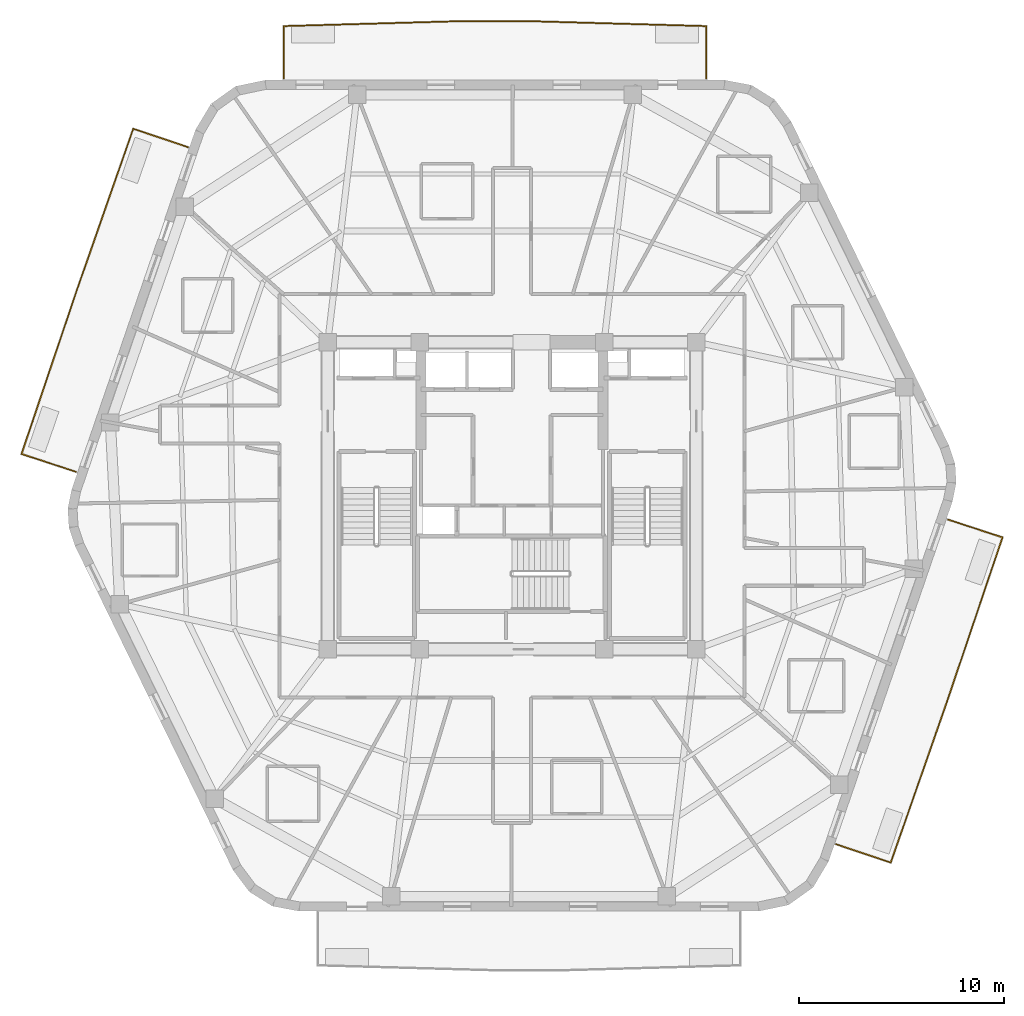
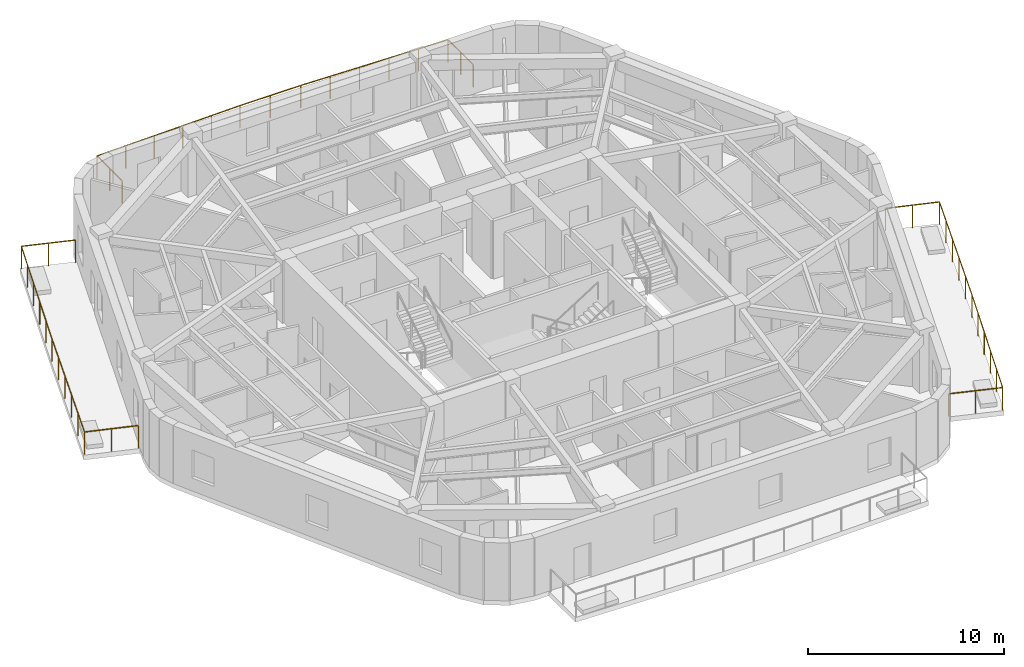
# One storey, part 9 of 9: 3 railings.
"""IFC4 building model written with IfcOpenShell, lengths in metres."""

from ifc_helpers import new_model, si_unit, direction, frame, origin, origin_2d, place, context, subcontext, project, spatial, rectangle, extrude, material, layer, layer_set, type_object, element, save


model = new_model("IFC4")

# Units and contexts
model_context = context("Model", 3, precision=1e-05, world=origin(), true_north=direction((0.0, 1.0)))
body_context = subcontext(model_context, "Body", "Model", "MODEL_VIEW")
ifc_project = project(units=[si_unit("LENGTHUNIT", "METRE"), si_unit("AREAUNIT", "SQUARE_METRE"), si_unit("VOLUMEUNIT", "CUBIC_METRE"), si_unit("PLANEANGLEUNIT", "RADIAN"), si_unit("MASSUNIT", "GRAM", prefix="KILO")], contexts=[model_context])

# Site, building, storey
site_placement = place(None, origin())
site = spatial("IfcSite", under=ifc_project, at=site_placement, CompositionType="ELEMENT")
building_placement = place(site_placement, origin())
building = spatial("IfcBuilding", under=site, at=building_placement, Name="Kilnhurst Terrace Hotel", CompositionType="ELEMENT")
storey_placement = place(building_placement, frame((0.0, 0.0, 269.10009765625)))
storey = spatial("IfcBuildingStorey", under=building, at=storey_placement, Name="L67", CompositionType="ELEMENT", Elevation=269.10009765625)

# Railings
ifc_material = material(Name="Laminated SentryGlas and Stainless Steel AISI 316L Balustrade", Category="steel")
ifc_layer = layer(ifc_material, 0.070068359375, Name="Laminated SentryGlas and Stainless Steel AISI 316L Balustrade")
ifc_layer_set = layer_set([ifc_layer], Name="Laminated SentryGlas and Stainless Steel AISI 316L Balustrade")
railing_type = type_object("IfcRailingType", Name="RLG-BAL-1420", PredefinedType="BALUSTRADE", material=ifc_layer_set)
railing_1_placement = place(storey_placement, frame((21.298828125, -1.166748046875, 0.0)))
element("IfcRailing", 1, at=railing_1_placement, inside=storey, type_object=railing_type, Name="L67 Exterior Terrace Guardrail BAL-L1B.1", PredefinedType="BALUSTRADE", context=body_context, shape_type="SweptSolid", body=[
    extrude(rectangle(XDim=0.048095703125, YDim=0.048095703125, at=origin_2d()), frame((0.0, 0.0, 1.39599609375), z_axis=(0.950394786916, -0.311046216827, 0.0), x_axis=(0.311046216827, 0.950394786916, 0.0)), (0.0, 0.0, 1.0), 2.80126953125),
    extrude(rectangle(XDim=0.048095703125, YDim=0.048095703125, at=origin_2d()), frame((2.662353515625, -0.871337890625, 1.39599609375), z_axis=(-0.319895813217, -0.94745272636, 0.0), x_axis=(0.94745272636, -0.319895813217, 0.0)), (0.0, 0.0, 1.0), 8.44091796875),
    extrude(rectangle(XDim=0.048095703125, YDim=0.048095703125, at=origin_2d()), frame((-0.037841796875, -8.86865234375, 1.39599609375), z_axis=(-0.329893619994, -0.944018113962, 0.0), x_axis=(0.944018113962, -0.329893619994, 0.0)), (0.0, 0.0, 1.0), 8.356689453125),
    extrude(rectangle(XDim=0.048095703125, YDim=0.048095703125, at=origin_2d()), frame((-2.794677734375, -16.757568359375, 1.39599609375), z_axis=(-0.948082201611, 0.318025374757, 0.0), x_axis=(-0.318025374757, -0.948082201611, 0.0)), (0.0, 0.0, 1.0), 2.810546875),
    extrude(rectangle(XDim=0.0419921875, YDim=0.0419921875, at=origin_2d()), origin(), (0.0, 0.0, 1.0), 1.371826171875),
    extrude(rectangle(XDim=0.0419921875, YDim=0.0419921875, at=origin_2d()), frame((1.3310546875, -0.435546875, 0.0)), (0.0, 0.0, 1.0), 1.371826171875),
    extrude(rectangle(XDim=0.0419921875, YDim=0.0419921875, at=origin_2d()), frame((2.662353515625, -0.871337890625, 0.0)), (0.0, 0.0, 1.0), 1.371826171875),
    extrude(rectangle(XDim=0.0419921875, YDim=0.0419921875, at=origin_2d()), frame((2.122314453125, -2.470703125, 0.0)), (0.0, 0.0, 1.0), 1.371826171875),
    extrude(rectangle(XDim=0.0419921875, YDim=0.0419921875, at=origin_2d()), frame((1.582275390625, -4.0703125, 0.0)), (0.0, 0.0, 1.0), 1.371826171875),
    extrude(rectangle(XDim=0.0419921875, YDim=0.0419921875, at=origin_2d()), frame((1.042236328125, -5.669677734375, 0.0)), (0.0, 0.0, 1.0), 1.371826171875),
    extrude(rectangle(XDim=0.0419921875, YDim=0.0419921875, at=origin_2d()), frame((0.502197265625, -7.269287109375, 0.0)), (0.0, 0.0, 1.0), 1.371826171875),
    extrude(rectangle(XDim=0.0419921875, YDim=0.0419921875, at=origin_2d()), frame((-0.037841796875, -8.86865234375, 0.0)), (0.0, 0.0, 1.0), 1.371826171875),
    extrude(rectangle(XDim=0.0419921875, YDim=0.0419921875, at=origin_2d()), frame((-0.589111328125, -10.446533203125, 0.0)), (0.0, 0.0, 1.0), 1.371826171875),
    extrude(rectangle(XDim=0.0419921875, YDim=0.0419921875, at=origin_2d()), frame((-1.140625, -12.024169921875, 0.0)), (0.0, 0.0, 1.0), 1.371826171875),
    extrude(rectangle(XDim=0.0419921875, YDim=0.0419921875, at=origin_2d()), frame((-1.69189453125, -13.60205078125, 0.0)), (0.0, 0.0, 1.0), 1.371826171875),
    extrude(rectangle(XDim=0.0419921875, YDim=0.0419921875, at=origin_2d()), frame((-2.243408203125, -15.1796875, 0.0)), (0.0, 0.0, 1.0), 1.371826171875),
    extrude(rectangle(XDim=0.0419921875, YDim=0.0419921875, at=origin_2d()), frame((-2.794677734375, -16.757568359375, 0.0)), (0.0, 0.0, 1.0), 1.371826171875),
    extrude(rectangle(XDim=0.0419921875, YDim=0.0419921875, at=origin_2d()), frame((-4.126953125, -16.310546875, 0.0)), (0.0, 0.0, 1.0), 1.371826171875),
    extrude(rectangle(XDim=0.0419921875, YDim=0.0419921875, at=origin_2d()), frame((-5.459228515625, -15.86376953125, 0.0)), (0.0, 0.0, 1.0), 1.371826171875),
])
railing_2_placement = place(storey_placement, frame((-11.151611328125, 20.3798828125, 0.0)))
element("IfcRailing", 2, at=railing_2_placement, inside=storey, type_object=railing_type, Name="L67 Exterior Terrace Guardrail BAL-L2A.1", PredefinedType="BALUSTRADE", context=body_context, shape_type="SweptSolid", body=[
    extrude(rectangle(XDim=0.048095703125, YDim=0.048095703125, at=origin_2d()), frame((0.0, 0.0, 1.39599609375), z_axis=(0.0, 1.0, 0.0), x_axis=(-1.0, 0.0, 0.0)), (0.0, 0.0, 1.0), 2.561767578125),
    extrude(rectangle(XDim=0.048095703125, YDim=0.048095703125, at=origin_2d()), frame((0.0, 2.561767578125, 1.39599609375), z_axis=(0.999610218954, 0.027917918323, 0.0), x_axis=(-0.027917918323, 0.999610218954, 0.0)), (0.0, 0.0, 1.0), 8.53515625),
    extrude(rectangle(XDim=0.048095703125, YDim=0.048095703125, at=origin_2d()), frame((8.53173828125, 2.800048828125, 1.39599609375), z_axis=(1.0, 0.0, 0.0), x_axis=(0.0, 1.0, 0.0)), (0.0, 0.0, 1.0), 3.577880859375),
    extrude(rectangle(XDim=0.048095703125, YDim=0.048095703125, at=origin_2d()), frame((12.109619140625, 2.800048828125, 1.39599609375), z_axis=(0.999610218954, -0.027917918323, 0.0), x_axis=(0.027917918323, 0.999610218954, 0.0)), (0.0, 0.0, 1.0), 8.53515625),
    extrude(rectangle(XDim=0.048095703125, YDim=0.048095703125, at=origin_2d()), frame((20.641357421875, 2.561767578125, 1.39599609375), z_axis=(0.0, -1.0, 0.0), x_axis=(1.0, 0.0, 0.0)), (0.0, 0.0, 1.0), 2.561767578125),
    extrude(rectangle(XDim=0.0419921875, YDim=0.0419921875, at=origin_2d()), origin(), (0.0, 0.0, 1.0), 1.371826171875),
    extrude(rectangle(XDim=0.0419921875, YDim=0.0419921875, at=origin_2d()), frame((0.0, 1.28076171875, 0.0)), (0.0, 0.0, 1.0), 1.371826171875),
    extrude(rectangle(XDim=0.0419921875, YDim=0.0419921875, at=origin_2d()), frame((0.0, 2.561767578125, 0.0)), (0.0, 0.0, 1.0), 1.371826171875),
    extrude(rectangle(XDim=0.0419921875, YDim=0.0419921875, at=origin_2d()), frame((1.706298828125, 2.609375, 0.0)), (0.0, 0.0, 1.0), 1.371826171875),
    extrude(rectangle(XDim=0.0419921875, YDim=0.0419921875, at=origin_2d()), frame((3.41259765625, 2.656982421875, 0.0)), (0.0, 0.0, 1.0), 1.371826171875),
    extrude(rectangle(XDim=0.0419921875, YDim=0.0419921875, at=origin_2d()), frame((5.119140625, 2.704833984375, 0.0)), (0.0, 0.0, 1.0), 1.371826171875),
    extrude(rectangle(XDim=0.0419921875, YDim=0.0419921875, at=origin_2d()), frame((6.825439453125, 2.75244140625, 0.0)), (0.0, 0.0, 1.0), 1.371826171875),
    extrude(rectangle(XDim=0.0419921875, YDim=0.0419921875, at=origin_2d()), frame((8.53173828125, 2.800048828125, 0.0)), (0.0, 0.0, 1.0), 1.371826171875),
    extrude(rectangle(XDim=0.0419921875, YDim=0.0419921875, at=origin_2d()), frame((10.32080078125, 2.800048828125, 0.0)), (0.0, 0.0, 1.0), 1.371826171875),
    extrude(rectangle(XDim=0.0419921875, YDim=0.0419921875, at=origin_2d()), frame((12.109619140625, 2.800048828125, 0.0)), (0.0, 0.0, 1.0), 1.371826171875),
    extrude(rectangle(XDim=0.0419921875, YDim=0.0419921875, at=origin_2d()), frame((13.81591796875, 2.75244140625, 0.0)), (0.0, 0.0, 1.0), 1.371826171875),
    extrude(rectangle(XDim=0.0419921875, YDim=0.0419921875, at=origin_2d()), frame((15.522216796875, 2.704833984375, 0.0)), (0.0, 0.0, 1.0), 1.371826171875),
    extrude(rectangle(XDim=0.0419921875, YDim=0.0419921875, at=origin_2d()), frame((17.228759765625, 2.656982421875, 0.0)), (0.0, 0.0, 1.0), 1.371826171875),
    extrude(rectangle(XDim=0.0419921875, YDim=0.0419921875, at=origin_2d()), frame((18.93505859375, 2.609375, 0.0)), (0.0, 0.0, 1.0), 1.371826171875),
    extrude(rectangle(XDim=0.0419921875, YDim=0.0419921875, at=origin_2d()), frame((20.641357421875, 2.561767578125, 0.0)), (0.0, 0.0, 1.0), 1.371826171875),
    extrude(rectangle(XDim=0.0419921875, YDim=0.0419921875, at=origin_2d()), frame((20.641357421875, 1.28076171875, 0.0)), (0.0, 0.0, 1.0), 1.371826171875),
    extrude(rectangle(XDim=0.0419921875, YDim=0.0419921875, at=origin_2d()), frame((20.641357421875, 0.0, 0.0)), (0.0, 0.0, 1.0), 1.371826171875),
])
railing_3_placement = place(storey_placement, frame((-21.298828125, 1.166748046875, 0.0)))
element("IfcRailing", 3, at=railing_3_placement, inside=storey, type_object=railing_type, Name="L67 Exterior Terrace Guardrail BAL-L2B.1", PredefinedType="BALUSTRADE", context=body_context, shape_type="SweptSolid", body=[
    extrude(rectangle(XDim=0.048095703125, YDim=0.048095703125, at=origin_2d()), frame((0.0, 0.0, 1.39599609375), z_axis=(-0.950394786916, 0.311046216827, 0.0), x_axis=(-0.311046216827, -0.950394786916, 0.0)), (0.0, 0.0, 1.0), 2.80126953125),
    extrude(rectangle(XDim=0.048095703125, YDim=0.048095703125, at=origin_2d()), frame((-2.662353515625, 0.871337890625, 1.39599609375), z_axis=(0.319895813217, 0.94745272636, 0.0), x_axis=(-0.94745272636, 0.319895813217, 0.0)), (0.0, 0.0, 1.0), 8.44091796875),
    extrude(rectangle(XDim=0.048095703125, YDim=0.048095703125, at=origin_2d()), frame((0.037841796875, 8.86865234375, 1.39599609375), z_axis=(0.329893619994, 0.944018113962, 0.0), x_axis=(-0.944018113962, 0.329893619994, 0.0)), (0.0, 0.0, 1.0), 8.356689453125),
    extrude(rectangle(XDim=0.048095703125, YDim=0.048095703125, at=origin_2d()), frame((2.794677734375, 16.757568359375, 1.39599609375), z_axis=(0.948082201611, -0.318025374757, 0.0), x_axis=(0.318025374757, 0.948082201611, 0.0)), (0.0, 0.0, 1.0), 2.810546875),
    extrude(rectangle(XDim=0.0419921875, YDim=0.0419921875, at=origin_2d()), origin(), (0.0, 0.0, 1.0), 1.371826171875),
    extrude(rectangle(XDim=0.0419921875, YDim=0.0419921875, at=origin_2d()), frame((-1.3310546875, 0.435546875, 0.0)), (0.0, 0.0, 1.0), 1.371826171875),
    extrude(rectangle(XDim=0.0419921875, YDim=0.0419921875, at=origin_2d()), frame((-2.662353515625, 0.871337890625, 0.0)), (0.0, 0.0, 1.0), 1.371826171875),
    extrude(rectangle(XDim=0.0419921875, YDim=0.0419921875, at=origin_2d()), frame((-2.122314453125, 2.470703125, 0.0)), (0.0, 0.0, 1.0), 1.371826171875),
    extrude(rectangle(XDim=0.0419921875, YDim=0.0419921875, at=origin_2d()), frame((-1.582275390625, 4.0703125, 0.0)), (0.0, 0.0, 1.0), 1.371826171875),
    extrude(rectangle(XDim=0.0419921875, YDim=0.0419921875, at=origin_2d()), frame((-1.042236328125, 5.669677734375, 0.0)), (0.0, 0.0, 1.0), 1.371826171875),
    extrude(rectangle(XDim=0.0419921875, YDim=0.0419921875, at=origin_2d()), frame((-0.502197265625, 7.269287109375, 0.0)), (0.0, 0.0, 1.0), 1.371826171875),
    extrude(rectangle(XDim=0.0419921875, YDim=0.0419921875, at=origin_2d()), frame((0.037841796875, 8.86865234375, 0.0)), (0.0, 0.0, 1.0), 1.371826171875),
    extrude(rectangle(XDim=0.0419921875, YDim=0.0419921875, at=origin_2d()), frame((0.589111328125, 10.446533203125, 0.0)), (0.0, 0.0, 1.0), 1.371826171875),
    extrude(rectangle(XDim=0.0419921875, YDim=0.0419921875, at=origin_2d()), frame((1.140625, 12.024169921875, 0.0)), (0.0, 0.0, 1.0), 1.371826171875),
    extrude(rectangle(XDim=0.0419921875, YDim=0.0419921875, at=origin_2d()), frame((1.69189453125, 13.60205078125, 0.0)), (0.0, 0.0, 1.0), 1.371826171875),
    extrude(rectangle(XDim=0.0419921875, YDim=0.0419921875, at=origin_2d()), frame((2.243408203125, 15.1796875, 0.0)), (0.0, 0.0, 1.0), 1.371826171875),
    extrude(rectangle(XDim=0.0419921875, YDim=0.0419921875, at=origin_2d()), frame((2.794677734375, 16.757568359375, 0.0)), (0.0, 0.0, 1.0), 1.371826171875),
    extrude(rectangle(XDim=0.0419921875, YDim=0.0419921875, at=origin_2d()), frame((4.126953125, 16.310546875, 0.0)), (0.0, 0.0, 1.0), 1.371826171875),
    extrude(rectangle(XDim=0.0419921875, YDim=0.0419921875, at=origin_2d()), frame((5.459228515625, 15.86376953125, 0.0)), (0.0, 0.0, 1.0), 1.371826171875),
])

save(model, "model.ifc")
